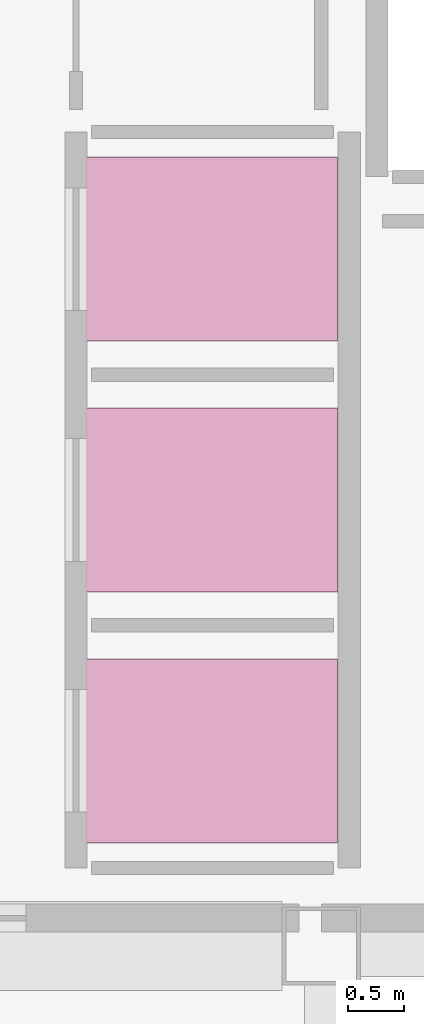
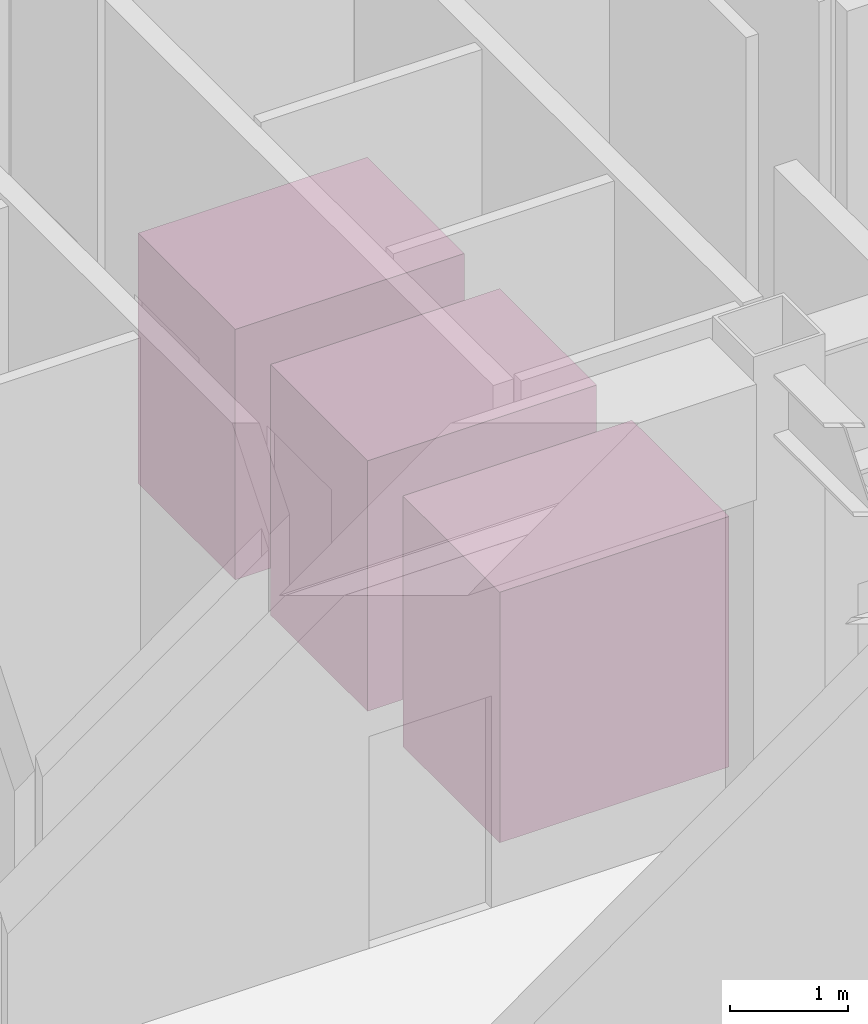
# One storey, part 20 of 20: 3 transport elements.
"""IFC4 building model written with IfcOpenShell, lengths in metres."""

from ifc_helpers import new_model, si_unit, direction, frame, origin, origin_2d, place, context, subcontext, project, spatial, rectangle, extrude, material, type_object, element, save


model = new_model("IFC4")

# Units and contexts
model_context = context("Model", 3, precision=1e-05, world=origin(), true_north=direction((0.0, 1.0)))
body_context = subcontext(model_context, "Body", "Model", "MODEL_VIEW")
ifc_project = project(units=[si_unit("LENGTHUNIT", "METRE"), si_unit("AREAUNIT", "SQUARE_METRE"), si_unit("VOLUMEUNIT", "CUBIC_METRE"), si_unit("PLANEANGLEUNIT", "RADIAN"), si_unit("MASSUNIT", "GRAM", prefix="KILO")], contexts=[model_context])

# Site, building, storey
site_placement = place(None, origin())
site = spatial("IfcSite", under=ifc_project, at=site_placement, CompositionType="ELEMENT")
building_placement = place(site_placement, origin())
building = spatial("IfcBuilding", under=site, at=building_placement, Name="Kallvorn Hotel Tower", CompositionType="ELEMENT")
storey_placement = place(building_placement, frame((0.0, 0.0, 180.300048828125)))
storey = spatial("IfcBuildingStorey", under=building, at=storey_placement, Name="L45", CompositionType="ELEMENT", Elevation=180.300048828125)

# Transport elements
ifc_material = material(Name="Stainless-steel passenger elevator cab assembly", Category="steel")
transport_element_type = type_object("IfcTransportElementType", Name="LIFT_PASS_1800", PredefinedType="ELEVATOR", material=ifc_material)
for number, where, z_axis, x_axis, name in (
    (1, (3.820068359375, -5.449951171875, 0.0), (0.0, 0.0, 1.0), (1.0, 0.0, 0.0), "Passenger Lift PL-09"),
    (2, (3.820068359375, -3.199951171875, 0.0), (0.0, 0.0, 1.0), (1.0, 0.0, 0.0), "Passenger Lift PL-10"),
    (3, (3.820068359375, -0.949951171875, 0.0), (0.0, 0.0, 1.0), (1.0, 0.0, 0.0), "Passenger Lift PL-11"),
):
    element("IfcTransportElement", number, at=place(storey_placement, frame(where, z_axis=z_axis, x_axis=x_axis)), inside=storey, type_object=transport_element_type, Name=name, PredefinedType="ELEVATOR", context=body_context, shape_type="SweptSolid", body=[
        extrude(rectangle(XDim=2.25, YDim=1.64990234375, at=origin_2d()), origin(), (0.0, 0.0, 1.0), 2.60009765625),
    ])

save(model, "model.ifc")
